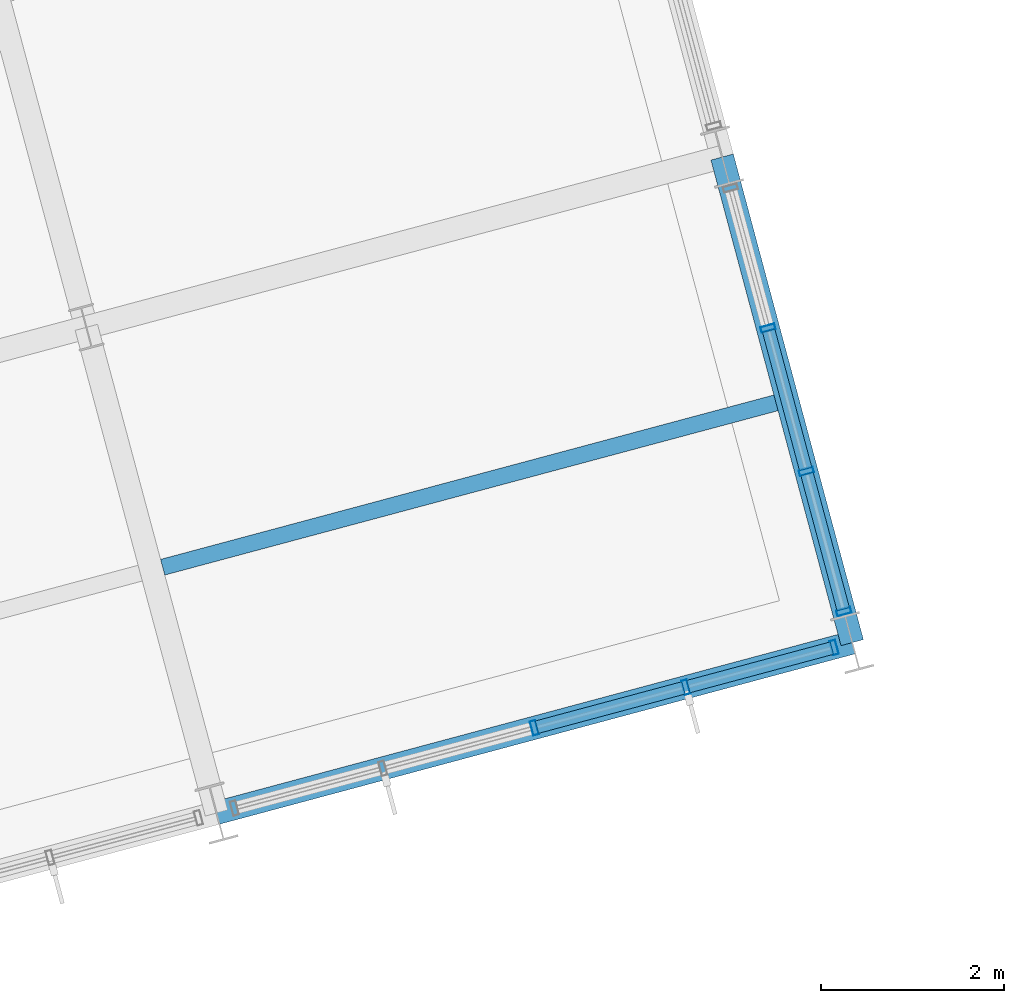
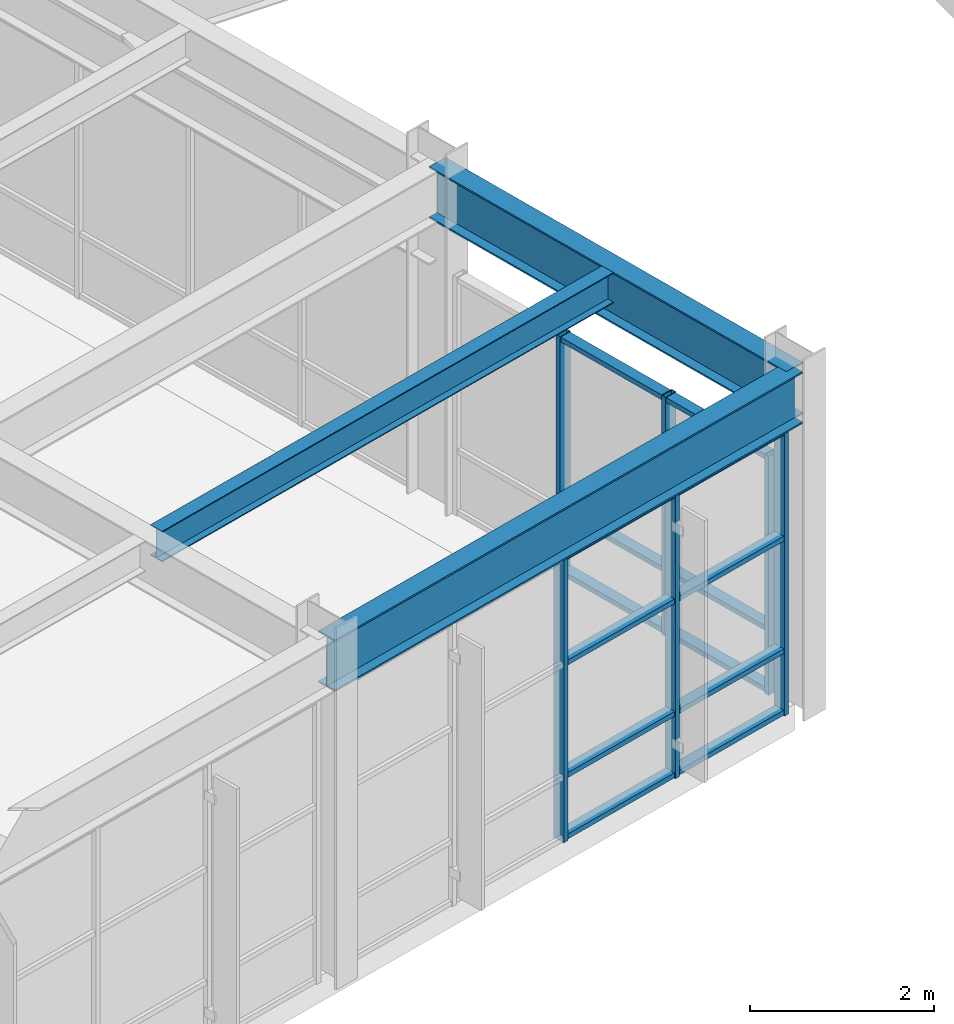
# One storey, part 47 of 104: 20 members, 3 beams, 2 elements without a shape of their own.
"""IFC4 building model written with IfcOpenShell, lengths in metres."""

import ifcopenshell
import ifcopenshell.guid

model = None  # the IFC model being written
_history = None  # IfcOwnerHistory: only IFC2X3 demands one
_inside = {}  # id of a spatial element -> (the spatial element, [elements in it])
_under = {}  # id of a project, library or spatial element -> (it, [spatial elements below it])
_declared = {}  # id of a project -> (the project, [libraries it declares])
_typed = {}  # id of a type object -> (the type object, [elements of that type])
_made_of = {}  # id of a material, layer set ... -> (it, [elements and type objects made of it])


def new_model(schema):
    """Start an empty IFC model of exactly this schema.

    Asked for "IFC4X3", IfcOpenShell would pick the latest addendum, in which some entities
    have other attributes; the version numbers below select the first issue.
    IFC2X3 requires an IfcOwnerHistory on every rooted entity: one is made here for all.
    """
    global model, _history
    if schema == "IFC4X3":
        model = ifcopenshell.file(schema_version=(4, 3, 0, 0))
    else:
        model = ifcopenshell.file(schema=schema)
    _inside.clear()
    _under.clear()
    _declared.clear()
    _typed.clear()
    _made_of.clear()
    _history = None
    if model.schema == "IFC2X3":
        org = make("IfcOrganization", Name="unknown")
        user = make(
            "IfcPersonAndOrganization",
            ThePerson=make("IfcPerson", FamilyName="unknown"),
            TheOrganization=org,
        )
        app = make(
            "IfcApplication",
            ApplicationDeveloper=org,
            Version="unknown",
            ApplicationFullName="unknown",
            ApplicationIdentifier="unknown",
        )
        _history = make(
            "IfcOwnerHistory",
            OwningUser=user,
            OwningApplication=app,
            ChangeAction="ADDED",
            CreationDate=0,
        )
    return model


def make(cls, **values):
    """One entity of the class cls with the attributes given. An attribute that is None is left unset."""
    return model.create_entity(
        cls, **{name: value for name, value in values.items() if value is not None}
    )


def rooted(cls, **values):
    """An entity with a GlobalId (a new one), such as an element, a storey or a relation."""
    return make(cls, GlobalId=ifcopenshell.guid.new(), OwnerHistory=_history, **values)


def si_unit(unit_type, name, prefix=None):
    """IfcSIUnit, for example si_unit("LENGTHUNIT", "METRE", prefix="MILLI")."""
    return make("IfcSIUnit", UnitType=unit_type, Prefix=prefix, Name=name)


def assignment(units):
    """IfcUnitAssignment: the units of a project."""
    return None if units is None else make("IfcUnitAssignment", Units=units)


def point(xyz):
    """IfcCartesianPoint."""
    return None if xyz is None else make("IfcCartesianPoint", Coordinates=xyz)


def direction(xyz):
    """IfcDirection."""
    return None if xyz is None else make("IfcDirection", DirectionRatios=xyz)


def frame(location, z_axis=None, x_axis=None):
    """IfcAxis2Placement3D, a coordinate frame: its origin and axes. An axis left out is left unset."""
    return make(
        "IfcAxis2Placement3D",
        Location=point(location),
        Axis=direction(z_axis),
        RefDirection=direction(x_axis),
    )


def frame_2d(location, x_axis=None):
    """IfcAxis2Placement2D, a coordinate frame in the plane: its origin and x axis."""
    return make(
        "IfcAxis2Placement2D", Location=point(location), RefDirection=direction(x_axis)
    )


def origin():
    """The frame at (0, 0, 0) with its axes left unset."""
    return frame((0.0, 0.0, 0.0))


def origin_2d():
    """The frame at (0, 0) in the plane with its x axis left unset."""
    return frame_2d((0.0, 0.0))


def place(relative_to, where):
    """IfcLocalPlacement: puts the frame where relative to a parent placement (None: the world)."""
    return make(
        "IfcLocalPlacement", PlacementRelTo=relative_to, RelativePlacement=where
    )


def context(
    kind, dimensions, precision=None, world=None, true_north=None, identifier=None
):
    """IfcGeometricRepresentationContext, for example the 3D "Model" context."""
    return make(
        "IfcGeometricRepresentationContext",
        ContextIdentifier=identifier,
        ContextType=kind,
        CoordinateSpaceDimension=dimensions,
        Precision=precision,
        WorldCoordinateSystem=world,
        TrueNorth=true_north,
    )


def subcontext(parent, identifier, kind, view, scale=None):
    """IfcGeometricRepresentationSubContext, for example "Body" below "Model"."""
    return make(
        "IfcGeometricRepresentationSubContext",
        ContextIdentifier=identifier,
        ContextType=kind,
        ParentContext=parent,
        TargetScale=scale,
        TargetView=view,
    )


def project(units=None, contexts=None):
    """IfcProject with its units and contexts."""
    return rooted(
        "IfcProject",
        Name="project",
        RepresentationContexts=contexts,
        UnitsInContext=assignment(units),
    )


def spatial(cls, under=None, at=None, **own):
    """A site, building, storey or space (cls), placed at a placement, below another one or the project."""
    s = rooted(cls, ObjectPlacement=at, **own)
    if under is not None:
        _under.setdefault(under.id(), (under, []))[1].append(s)
    return s


def profile(cls, at=None, kind="AREA", **sizes):
    """A parametric profile (cls). Its sizes go by their IFC names, for example OverallWidth=200.0."""
    return make(cls, ProfileType=kind, Position=at, **sizes)


def hollow_rectangle(**sizes):
    """IfcRectangleHollowProfileDef."""
    return profile("IfcRectangleHollowProfileDef", **sizes)


def i_section(**sizes):
    """IfcIShapeProfileDef."""
    return profile("IfcIShapeProfileDef", **sizes)


def extrude(swept, where, along, depth):
    """IfcExtrudedAreaSolid: the profile swept, set in the frame where, extruded along a direction by depth."""
    return make(
        "IfcExtrudedAreaSolid",
        SweptArea=swept,
        Position=where,
        ExtrudedDirection=direction(along),
        Depth=depth,
    )


def shape(context_of_items, identifier, shape_type, items):
    """IfcShapeRepresentation: the items that make up one representation, for example the "Body"."""
    return make(
        "IfcShapeRepresentation",
        ContextOfItems=context_of_items,
        RepresentationIdentifier=identifier,
        RepresentationType=shape_type,
        Items=items,
    )


def material(Name=None, Category=None):
    """IfcMaterial."""
    return make("IfcMaterial", Name=Name, Category=Category)


def layer(
    of_material, thickness, ventilated=None, Name=None, Category=None, Priority=None
):
    """IfcMaterialLayer: one layer of a wall or slab, of a material (None: an air gap)."""
    return make(
        "IfcMaterialLayer",
        Material=of_material,
        LayerThickness=thickness,
        IsVentilated=ventilated,
        Name=Name,
        Category=Category,
        Priority=Priority,
    )


def layer_set(layers, Name=None):
    """IfcMaterialLayerSet."""
    return make("IfcMaterialLayerSet", MaterialLayers=layers, LayerSetName=Name)


def material_profile(
    of_material, cross_section, Name=None, Category=None, Priority=None
):
    """IfcMaterialProfile: a cross section and its material."""
    return make(
        "IfcMaterialProfile",
        Name=Name,
        Material=of_material,
        Profile=cross_section,
        Priority=Priority,
        Category=Category,
    )


def profile_set(profiles, Name=None, composite=None):
    """IfcMaterialProfileSet."""
    return make(
        "IfcMaterialProfileSet",
        Name=Name,
        MaterialProfiles=profiles,
        CompositeProfile=composite,
    )


def made_of(thing, what):
    """Note that an element or type object is made of a material, layer set ...; save() writes the relation."""
    if what is not None:
        _made_of.setdefault(what.id(), (what, []))[1].append(thing)
    return thing


def type_object(cls, material=None, **own):
    """A type object (cls), such as IfcWallType, which elements share."""
    return made_of(rooted(cls, **own), material)


def element(
    cls,
    number,
    at=None,
    inside=None,
    cuts=None,
    type_object=None,
    material=None,
    context=None,
    identifier="Body",
    shape_type=None,
    held_by="IfcProductDefinitionShape",
    body=None,
    shapes=None,
    **own,
):
    """One element of the class cls, such as IfcWall. Its Tag is "e" and its number.

    at: its placement. inside: the storey or other place that contains it. cuts: it is an
    opening in that element (IfcRelVoidsElement). A single representation is given by context,
    identifier, shape_type and body (its items); several are given by shapes. held_by: the class
    of the entity that holds the representations. save() writes the other relations.
    """
    e = rooted(cls, Tag="e%d" % number, ObjectPlacement=at, **own)
    if body is not None:
        shapes = [shape(context, identifier, shape_type, body)]
    if shapes is not None:
        e.Representation = make(held_by, Representations=shapes)
    if inside is not None:
        _inside.setdefault(inside.id(), (inside, []))[1].append(e)
    if cuts is not None:
        rooted(
            "IfcRelVoidsElement", RelatingBuildingElement=cuts, RelatedOpeningElement=e
        )
    if type_object is not None:
        _typed.setdefault(type_object.id(), (type_object, []))[1].append(e)
    return made_of(e, material)


def aggregate(whole, parts):
    """IfcRelAggregates: a whole, such as a stair, and the parts it consists of."""
    return rooted("IfcRelAggregates", RelatingObject=whole, RelatedObjects=parts)


def save(model, path):
    """Write the relations noted so far, then the file.

    IfcRelAggregates (storeys below a building ...), IfcRelContainedInSpatialStructure (elements
    in a storey), IfcRelDefinesByType, IfcRelAssociatesMaterial and IfcRelDeclares: one each for
    every whole, place, type object, material and project.
    """
    for whole, parts in _under.values():
        aggregate(whole, parts)
    for where, things in _inside.values():
        rooted(
            "IfcRelContainedInSpatialStructure",
            RelatedElements=things,
            RelatingStructure=where,
        )
    for kind, things in _typed.values():
        rooted("IfcRelDefinesByType", RelatedObjects=things, RelatingType=kind)
    for what, things in _made_of.values():
        rooted("IfcRelAssociatesMaterial", RelatedObjects=things, RelatingMaterial=what)
    for by, libraries in _declared.values():
        rooted("IfcRelDeclares", RelatingContext=by, RelatedDefinitions=libraries)
    model.write(path)


model = new_model("IFC4")

# Units and contexts
model_context = context("Model", 3, precision=1e-05, world=origin(), true_north=direction((0.0, 1.0)))
body_context = subcontext(model_context, "Body", "Model", "MODEL_VIEW")
ifc_project = project(units=[si_unit("LENGTHUNIT", "METRE"), si_unit("AREAUNIT", "SQUARE_METRE"), si_unit("VOLUMEUNIT", "CUBIC_METRE"), si_unit("PLANEANGLEUNIT", "RADIAN"), si_unit("MASSUNIT", "GRAM", prefix="KILO")], contexts=[model_context])

# Site, building, storey
site_placement = place(None, origin())
site = spatial("IfcSite", under=ifc_project, at=site_placement, CompositionType="ELEMENT")
building_placement = place(site_placement, origin())
building = spatial("IfcBuilding", under=site, at=building_placement, Name="Ventoquebrada Cableway Terminal", CompositionType="ELEMENT")
storey_placement = place(building_placement, frame((0.0, 0.0, 4.800048828125)))
storey = spatial("IfcBuildingStorey", under=building, at=storey_placement, Name="L01", CompositionType="ELEMENT", Elevation=4.800048828125)

# Beams
ifc_material_1 = material(Name="Steel ASTM A992 Grade 50", Category="steel")
ifc_material_profile_1 = material_profile(ifc_material_1, i_section(OverallWidth=0.25390625, OverallDepth=0.68798828125, WebThickness=0.01318359375, FlangeThickness=0.02099609375, at=origin_2d()), Name="W27X102")
ifc_profile_set_1 = profile_set([ifc_material_profile_1], Name="Steel ASTM A992 Grade 50")
beam_type_1 = type_object("IfcBeamType", Name="BM-ST04", PredefinedType="BEAM", material=ifc_profile_set_1)
beam_1_placement = place(storey_placement, frame((86.7509765625, 79.10205078125, 4.130859375), z_axis=(-0.25877602824, 0.965937351596, 0.0), x_axis=(-0.965937351596, -0.25877602824, 0.0)))
element("IfcBeam", 1, at=beam_1_placement, inside=storey, type_object=beam_type_1, Name="Splayed station girder FBM-1037", PredefinedType="BEAM", context=body_context, shape_type="SweptSolid", body=[
    extrude(i_section(OverallWidth=0.25390625, OverallDepth=0.68798828125, WebThickness=0.01318359375, FlangeThickness=0.02099609375, at=origin_2d()), origin(), (0.0, 0.0, 1.0), 5.499267578125),
])
beam_2_placement = place(storey_placement, frame((79.797119140625, 77.238037109375, 4.130859375), z_axis=(0.965900361292, 0.258914063071, 0.0), x_axis=(-0.258914063071, 0.965900361292, 0.0)))
element("IfcBeam", 2, at=beam_2_placement, inside=storey, type_object=beam_type_1, Name="Splayed station girder FBM-1045", PredefinedType="BEAM", context=body_context, shape_type="SweptSolid", body=[
    extrude(i_section(OverallWidth=0.25390625, OverallDepth=0.68798828125, WebThickness=0.01318359375, FlangeThickness=0.02099609375, at=origin_2d()), origin(), (0.0, 0.0, 1.0), 7.199462890625),
])

# Curtain wall, members
ifc_material_2 = material(Name="Anodized thermally-broken aluminium", Category="aluminium")
ifc_layer_1 = layer(ifc_material_2, 0.159912109375)
ifc_layer_set_1 = layer_set([ifc_layer_1], Name="Anodized thermally-broken aluminium")
curtain_wall_type_1 = type_object("IfcCurtainWallType", Name="CW-T37", PredefinedType="USERDEFINED", material=ifc_layer_set_1)
curtain_wall_1_placement = place(storey_placement, origin())
curtain_wall_1 = element("IfcCurtainWall", 3, at=curtain_wall_1_placement, inside=storey, type_object=curtain_wall_type_1, Name="Unitised glazed curtain wall CW-087", ObjectType="UNITISED CURTAIN WALL", PredefinedType="USERDEFINED")
ifc_material_profile_2 = material_profile(ifc_material_2, hollow_rectangle(XDim=0.06494140625, YDim=0.159912109375, WallThickness=0.00390625, at=origin_2d()), Name="CW-MUL-65X160")
ifc_profile_set_2 = profile_set([ifc_material_profile_2], Name="Anodized thermally-broken aluminium")
member_type_1 = type_object("IfcMemberType", Name="CWM-01", PredefinedType="MULLION", material=ifc_profile_set_2)
member_1_placement = place(storey_placement, frame((83.27392578125, 78.169921875, -0.008056640625), z_axis=(0.0, 0.0, 1.0), x_axis=(0.965925826289, 0.258819045103, 0.0)))
member_1 = element("IfcMember", 4, at=member_1_placement, type_object=member_type_1, Name="Curtain wall mullion FML-0426", PredefinedType="MULLION", context=body_context, shape_type="SweptSolid", body=[
    extrude(hollow_rectangle(XDim=0.06494140625, YDim=0.159912109375, WallThickness=0.00390625, at=origin_2d()), origin(), (0.0, 0.0, 1.0), 3.794921875),
])
member_2_placement = place(storey_placement, frame((84.930908203125, 78.614013671875, -0.008056640625), z_axis=(0.0, 0.0, 1.0), x_axis=(0.965925826289, 0.258819045103, 0.0)))
member_2 = element("IfcMember", 5, at=member_2_placement, type_object=member_type_1, Name="Curtain wall mullion FML-0427", PredefinedType="MULLION", context=body_context, shape_type="SweptSolid", body=[
    extrude(hollow_rectangle(XDim=0.06494140625, YDim=0.159912109375, WallThickness=0.00390625, at=origin_2d()), origin(), (0.0, 0.0, 1.0), 3.794921875),
])
member_3_placement = place(storey_placement, frame((86.553955078125, 79.049072265625, -0.008056640625), z_axis=(0.0, 0.0, 1.0), x_axis=(0.965925826289, 0.258819045103, 0.0)))
member_3 = element("IfcMember", 6, at=member_3_placement, type_object=member_type_1, Name="Curtain wall mullion FML-0428", PredefinedType="MULLION", context=body_context, shape_type="SweptSolid", body=[
    extrude(hollow_rectangle(XDim=0.06494140625, YDim=0.159912109375, WallThickness=0.00390625, at=origin_2d()), origin(), (0.0, 0.0, 1.0), 3.794921875),
])

ifc_layer_2 = layer(ifc_material_2, 0.159912109375)
ifc_layer_set_2 = layer_set([ifc_layer_2], Name="Anodized thermally-broken aluminium")
curtain_wall_type_2 = type_object("IfcCurtainWallType", Name="CW-T38", PredefinedType="USERDEFINED", material=ifc_layer_set_2)
curtain_wall_2_placement = place(storey_placement, origin())
curtain_wall_2 = element("IfcCurtainWall", 7, at=curtain_wall_2_placement, inside=storey, type_object=curtain_wall_type_2, Name="Unitised glazed curtain wall CW-097", ObjectType="UNITISED CURTAIN WALL", PredefinedType="USERDEFINED")
member_4_placement = place(storey_placement, frame((86.659912109375, 79.44091796875, -0.008056640625), z_axis=(0.0, 0.0, 1.0), x_axis=(-0.258650455301, 0.965970984022, 0.0)))
member_4 = element("IfcMember", 8, at=member_4_placement, type_object=member_type_1, Name="Curtain wall mullion FML-0472", PredefinedType="MULLION", context=body_context, shape_type="SweptSolid", body=[
    extrude(hollow_rectangle(XDim=0.06494140625, YDim=0.159912109375, WallThickness=0.00390625, at=origin_2d()), origin(), (0.0, 0.0, 1.0), 3.173095703125),
])
member_5_placement = place(storey_placement, frame((86.2490234375, 80.97412109375, -0.008056640625), z_axis=(0.0, 0.0, 1.0), x_axis=(-0.258650455301, 0.965970984022, 0.0)))
member_5 = element("IfcMember", 9, at=member_5_placement, type_object=member_type_1, Name="Curtain wall mullion FML-0473", PredefinedType="MULLION", context=body_context, shape_type="SweptSolid", body=[
    extrude(hollow_rectangle(XDim=0.06494140625, YDim=0.159912109375, WallThickness=0.00390625, at=origin_2d()), origin(), (0.0, 0.0, 1.0), 3.173095703125),
])
member_6_placement = place(storey_placement, frame((85.830078125, 82.5419921875, -0.008056640625), z_axis=(0.0, 0.0, 1.0), x_axis=(-0.258650455301, 0.965970984022, 0.0)))
member_6 = element("IfcMember", 10, at=member_6_placement, type_object=member_type_1, Name="Curtain wall mullion FML-0474", PredefinedType="MULLION", context=body_context, shape_type="SweptSolid", body=[
    extrude(hollow_rectangle(XDim=0.06494140625, YDim=0.159912109375, WallThickness=0.00390625, at=origin_2d()), origin(), (0.0, 0.0, 1.0), 3.173095703125),
])

# Member
ifc_material_profile_3 = material_profile(ifc_material_2, hollow_rectangle(XDim=0.06494140625, YDim=0.139892578125, WallThickness=0.00390625, at=origin_2d()), Name="CW-TRN-65X140")
ifc_profile_set_3 = profile_set([ifc_material_profile_3], Name="Anodized thermally-broken aluminium")
member_type_2 = type_object("IfcMemberType", Name="CWT-01", PredefinedType="USERDEFINED", material=ifc_profile_set_3)
member_7_placement = place(storey_placement, frame((83.301025390625, 78.177001953125, 0.034912109375), z_axis=(0.965865282434, 0.259044892228, 0.0), x_axis=(0.0, 0.0, 1.0)))
member_7 = element("IfcMember", 11, at=member_7_placement, type_object=member_type_2, Name="Curtain wall transom FTR-1264", ObjectType="TRANSOM", PredefinedType="USERDEFINED", context=body_context, shape_type="SweptSolid", body=[
    extrude(hollow_rectangle(XDim=0.06494140625, YDim=0.139892578125, WallThickness=0.00390625, at=origin_2d()), origin(), (0.0, 0.0, 1.0), 1.65966796875),
])

member_8_placement = place(storey_placement, frame((83.301025390625, 78.177001953125, 0.849853515625), z_axis=(0.965865282434, 0.259044892228, 0.0), x_axis=(0.0, 0.0, 1.0)))
member_8 = element("IfcMember", 12, at=member_8_placement, type_object=member_type_2, Name="Curtain wall transom FTR-1265", ObjectType="TRANSOM", PredefinedType="USERDEFINED", context=body_context, shape_type="SweptSolid", body=[
    extrude(hollow_rectangle(XDim=0.06494140625, YDim=0.139892578125, WallThickness=0.00390625, at=origin_2d()), origin(), (0.0, 0.0, 1.0), 1.65966796875),
])

member_9_placement = place(storey_placement, frame((83.301025390625, 78.177001953125, 2.344970703125), z_axis=(0.965865282434, 0.259044892228, 0.0), x_axis=(0.0, 0.0, 1.0)))
member_9 = element("IfcMember", 13, at=member_9_placement, type_object=member_type_2, Name="Curtain wall transom FTR-1266", ObjectType="TRANSOM", PredefinedType="USERDEFINED", context=body_context, shape_type="SweptSolid", body=[
    extrude(hollow_rectangle(XDim=0.06494140625, YDim=0.139892578125, WallThickness=0.00390625, at=origin_2d()), origin(), (0.0, 0.0, 1.0), 1.65966796875),
])

member_10_placement = place(storey_placement, frame((83.301025390625, 78.177001953125, 3.7470703125), z_axis=(0.965865282434, 0.259044892228, 0.0), x_axis=(0.0, 0.0, 1.0)))
member_10 = element("IfcMember", 14, at=member_10_placement, type_object=member_type_2, Name="Curtain wall transom FTR-1267", ObjectType="TRANSOM", PredefinedType="USERDEFINED", context=body_context, shape_type="SweptSolid", body=[
    extrude(hollow_rectangle(XDim=0.06494140625, YDim=0.139892578125, WallThickness=0.00390625, at=origin_2d()), origin(), (0.0, 0.0, 1.0), 1.65966796875),
])

member_11_placement = place(storey_placement, frame((84.9580078125, 78.62109375, 0.034912109375), z_axis=(0.965895076966, 0.258933775881, 0.0), x_axis=(0.0, 0.0, 1.0)))
member_11 = element("IfcMember", 15, at=member_11_placement, type_object=member_type_2, Name="Curtain wall transom FTR-1268", ObjectType="TRANSOM", PredefinedType="USERDEFINED", context=body_context, shape_type="SweptSolid", body=[
    extrude(hollow_rectangle(XDim=0.06494140625, YDim=0.139892578125, WallThickness=0.00390625, at=origin_2d()), origin(), (0.0, 0.0, 1.0), 1.62548828125),
])

member_12_placement = place(storey_placement, frame((84.9580078125, 78.62109375, 0.849853515625), z_axis=(0.965895076966, 0.258933775881, 0.0), x_axis=(0.0, 0.0, 1.0)))
member_12 = element("IfcMember", 16, at=member_12_placement, type_object=member_type_2, Name="Curtain wall transom FTR-1269", ObjectType="TRANSOM", PredefinedType="USERDEFINED", context=body_context, shape_type="SweptSolid", body=[
    extrude(hollow_rectangle(XDim=0.06494140625, YDim=0.139892578125, WallThickness=0.00390625, at=origin_2d()), origin(), (0.0, 0.0, 1.0), 1.62548828125),
])

member_13_placement = place(storey_placement, frame((84.9580078125, 78.62109375, 2.344970703125), z_axis=(0.965895076966, 0.258933775881, 0.0), x_axis=(0.0, 0.0, 1.0)))
member_13 = element("IfcMember", 17, at=member_13_placement, type_object=member_type_2, Name="Curtain wall transom FTR-1270", ObjectType="TRANSOM", PredefinedType="USERDEFINED", context=body_context, shape_type="SweptSolid", body=[
    extrude(hollow_rectangle(XDim=0.06494140625, YDim=0.139892578125, WallThickness=0.00390625, at=origin_2d()), origin(), (0.0, 0.0, 1.0), 1.62548828125),
])

member_14_placement = place(storey_placement, frame((84.9580078125, 78.62109375, 3.7470703125), z_axis=(0.965895076966, 0.258933775881, 0.0), x_axis=(0.0, 0.0, 1.0)))
member_14 = element("IfcMember", 18, at=member_14_placement, type_object=member_type_2, Name="Curtain wall transom FTR-1271", ObjectType="TRANSOM", PredefinedType="USERDEFINED", context=body_context, shape_type="SweptSolid", body=[
    extrude(hollow_rectangle(XDim=0.06494140625, YDim=0.139892578125, WallThickness=0.00390625, at=origin_2d()), origin(), (0.0, 0.0, 1.0), 1.62548828125),
])

aggregate(curtain_wall_1, [member_1, member_2, member_3, member_7, member_8, member_9, member_10, member_11, member_12, member_13, member_14])

member_15_placement = place(storey_placement, frame((86.653076171875, 79.467041015625, 0.034912109375), z_axis=(-0.258911184026, 0.965901133029, 0.0), x_axis=(0.0, 0.0, 1.0)))
member_15 = element("IfcMember", 19, at=member_15_placement, type_object=member_type_2, Name="Curtain wall transom FTR-1394", ObjectType="TRANSOM", PredefinedType="USERDEFINED", context=body_context, shape_type="SweptSolid", body=[
    extrude(hollow_rectangle(XDim=0.06494140625, YDim=0.139892578125, WallThickness=0.00390625, at=origin_2d()), origin(), (0.0, 0.0, 1.0), 1.533203125),
])

member_16_placement = place(storey_placement, frame((86.653076171875, 79.467041015625, 0.849853515625), z_axis=(-0.258911184026, 0.965901133029, 0.0), x_axis=(0.0, 0.0, 1.0)))
member_16 = element("IfcMember", 20, at=member_16_placement, type_object=member_type_2, Name="Curtain wall transom FTR-1395", ObjectType="TRANSOM", PredefinedType="USERDEFINED", context=body_context, shape_type="SweptSolid", body=[
    extrude(hollow_rectangle(XDim=0.06494140625, YDim=0.139892578125, WallThickness=0.00390625, at=origin_2d()), origin(), (0.0, 0.0, 1.0), 1.533203125),
])

member_17_placement = place(storey_placement, frame((86.653076171875, 79.467041015625, 3.125), z_axis=(-0.258911184026, 0.965901133029, 0.0), x_axis=(0.0, 0.0, 1.0)))
member_17 = element("IfcMember", 21, at=member_17_placement, type_object=member_type_2, Name="Curtain wall transom FTR-1396", ObjectType="TRANSOM", PredefinedType="USERDEFINED", context=body_context, shape_type="SweptSolid", body=[
    extrude(hollow_rectangle(XDim=0.06494140625, YDim=0.139892578125, WallThickness=0.00390625, at=origin_2d()), origin(), (0.0, 0.0, 1.0), 1.533203125),
])

member_18_placement = place(storey_placement, frame((86.241943359375, 81.0009765625, 0.034912109375), z_axis=(-0.258447956498, 0.966025182789, 0.0), x_axis=(0.0, 0.0, 1.0)))
member_18 = element("IfcMember", 22, at=member_18_placement, type_object=member_type_2, Name="Curtain wall transom FTR-1397", ObjectType="TRANSOM", PredefinedType="USERDEFINED", context=body_context, shape_type="SweptSolid", body=[
    extrude(hollow_rectangle(XDim=0.06494140625, YDim=0.139892578125, WallThickness=0.00390625, at=origin_2d()), origin(), (0.0, 0.0, 1.0), 1.567138671875),
])

member_19_placement = place(storey_placement, frame((86.241943359375, 81.0009765625, 0.849853515625), z_axis=(-0.258447956498, 0.966025182789, 0.0), x_axis=(0.0, 0.0, 1.0)))
member_19 = element("IfcMember", 23, at=member_19_placement, type_object=member_type_2, Name="Curtain wall transom FTR-1398", ObjectType="TRANSOM", PredefinedType="USERDEFINED", context=body_context, shape_type="SweptSolid", body=[
    extrude(hollow_rectangle(XDim=0.06494140625, YDim=0.139892578125, WallThickness=0.00390625, at=origin_2d()), origin(), (0.0, 0.0, 1.0), 1.567138671875),
])

member_20_placement = place(storey_placement, frame((86.241943359375, 81.0009765625, 3.125), z_axis=(-0.258447956498, 0.966025182789, 0.0), x_axis=(0.0, 0.0, 1.0)))
member_20 = element("IfcMember", 24, at=member_20_placement, type_object=member_type_2, Name="Curtain wall transom FTR-1399", ObjectType="TRANSOM", PredefinedType="USERDEFINED", context=body_context, shape_type="SweptSolid", body=[
    extrude(hollow_rectangle(XDim=0.06494140625, YDim=0.139892578125, WallThickness=0.00390625, at=origin_2d()), origin(), (0.0, 0.0, 1.0), 1.567138671875),
])

aggregate(curtain_wall_2, [member_4, member_5, member_6, member_15, member_16, member_17, member_18, member_19, member_20])

# Beam
ifc_material_profile_4 = material_profile(ifc_material_1, i_section(OverallWidth=0.177978515625, OverallDepth=0.406005859375, WebThickness=0.0078125, FlangeThickness=0.0126953125, at=origin_2d()), Name="W16X40")
ifc_profile_set_4 = profile_set([ifc_material_profile_4], Name="Steel ASTM A992 Grade 50")
beam_type_2 = type_object("IfcBeamType", Name="JST-ST06", PredefinedType="JOIST", material=ifc_profile_set_4)
beam_3_placement = place(storey_placement, frame((79.2080078125, 79.927001953125, 4.27197265625), z_axis=(0.96591039222, 0.258876638963, 0.0), x_axis=(-0.258876638963, 0.96591039222, 0.0)))
element("IfcBeam", 25, at=beam_3_placement, inside=storey, type_object=beam_type_2, Name="Splayed deck joist FBM-1078", PredefinedType="JOIST", context=body_context, shape_type="SweptSolid", body=[
    extrude(i_section(OverallWidth=0.177978515625, OverallDepth=0.406005859375, WebThickness=0.0078125, FlangeThickness=0.0126953125, at=origin_2d()), origin(), (0.0, 0.0, 1.0), 6.94580078125),
])

save(model, "model.ifc")
